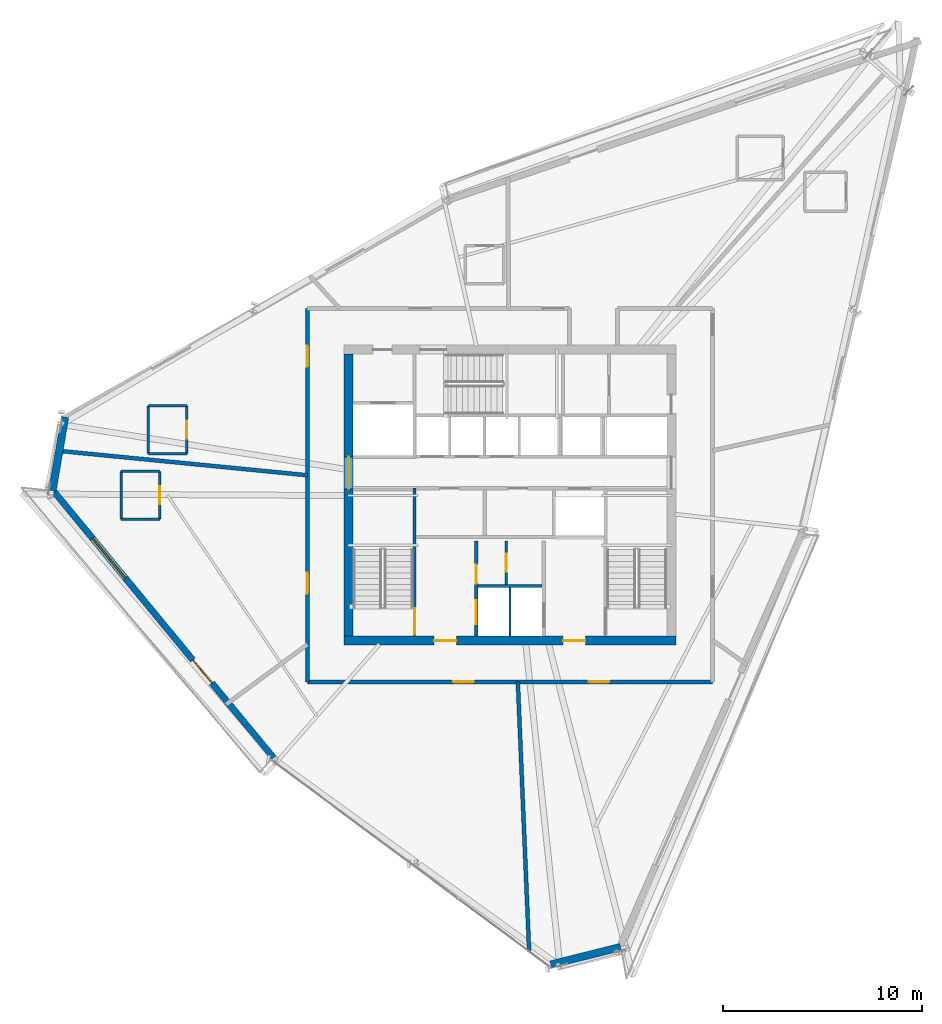
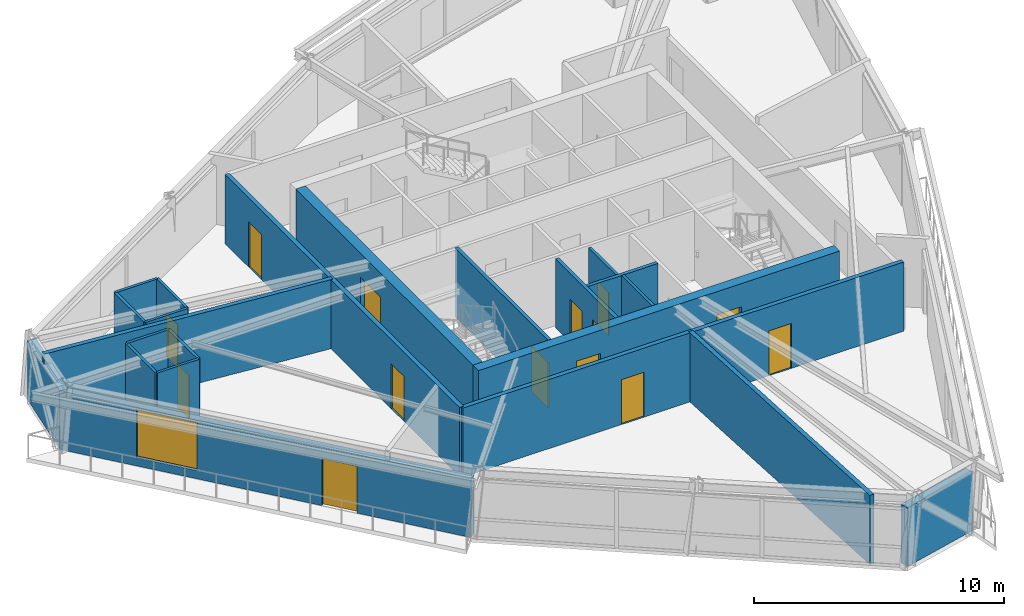
# One storey, part 8 of 14: 22 walls, 14 doors, 1 window, 15 openings.
"""IFC4 building model written with IfcOpenShell, lengths in metres."""

from ifc_helpers import new_model, si_unit, direction, frame, frame_2d, origin, place, context, subcontext, project, spatial, rectangle, extrude, source, transform, mapped, material, layer, layer_set, type_object, type_shapes, element, fill, save


model = new_model("IFC4")

# Units and contexts
model_context = context("Model", 3, precision=1e-05, world=origin(), true_north=direction((0.0, 1.0)))
body_context = subcontext(model_context, "Body", "Model", "MODEL_VIEW")
ifc_project = project(units=[si_unit("LENGTHUNIT", "METRE"), si_unit("AREAUNIT", "SQUARE_METRE"), si_unit("VOLUMEUNIT", "CUBIC_METRE"), si_unit("PLANEANGLEUNIT", "RADIAN"), si_unit("MASSUNIT", "GRAM", prefix="KILO")], contexts=[model_context])

# Site, building, storey
site_placement = place(None, origin())
site = spatial("IfcSite", under=ifc_project, at=site_placement, CompositionType="ELEMENT")
building_placement = place(site_placement, origin())
building = spatial("IfcBuilding", under=site, at=building_placement, Name="Olszyna Solenne Hotel", CompositionType="ELEMENT")
storey_placement = place(building_placement, frame((0.0, 0.0, 230.89990234375)))
storey = spatial("IfcBuildingStorey", under=building, at=storey_placement, Name="L61", CompositionType="ELEMENT", Elevation=230.89990234375)

# Wall, openings, doors
ifc_material_1 = material(Name="Concrete C50/60", Category="concrete")
ifc_layer_1 = layer(ifc_material_1, 0.449951171875, Name="Concrete C50/60")
ifc_layer_set_1 = layer_set([ifc_layer_1], Name="Concrete C50/60")
wall_type_1 = type_object("IfcWallType", Name="WL-CR450", PredefinedType="SHEAR", material=ifc_layer_set_1)
wall_1_placement = place(storey_placement, frame((46.35009765625, 19.27490234375, 0.0), z_axis=(0.0, 0.0, 1.0), x_axis=(-1.0, 0.0, 0.0)))
wall_1 = element("IfcWall", 1, at=wall_1_placement, inside=storey, type_object=wall_type_1, Name="Core shear wall WL-CR450 CRW-L61-S", PredefinedType="SHEAR", context=body_context, shape_type="SweptSolid", body=[
    extrude(rectangle(XDim=16.7001953125, YDim=0.449951171875, at=frame_2d((8.35009765625, 0.0))), origin(), (0.0, 0.0, 1.0), 3.380126953125),
])
opening_1_placement = place(wall_1_placement, frame((4.550048828125, 0.0, 0.0)))
opening_1 = element("IfcOpeningElement", 2, at=opening_1_placement, cuts=wall_1, Name="Opening FL-L61-1", PredefinedType="OPENING", context=body_context, shape_type="SweptSolid", body=[
    extrude(rectangle(XDim=1.1201171875, YDim=2.25, at=frame_2d((0.56005859375, 1.125))), frame((0.0, 0.23486328125, 0.0), z_axis=(0.0, -1.0, 0.0), x_axis=(1.0, 0.0, 0.0)), (0.0, 0.0, 1.0), 0.469970703125),
])
opening_2_placement = place(wall_1_placement, frame((11.050048828125, 0.0, 0.0)))
opening_2 = element("IfcOpeningElement", 3, at=opening_2_placement, cuts=wall_1, Name="Opening FL-L61-2", PredefinedType="OPENING", context=body_context, shape_type="SweptSolid", body=[
    extrude(rectangle(XDim=1.1201171875, YDim=2.25, at=frame_2d((0.56005859375, 1.125))), frame((0.0, 0.23486328125, 0.0), z_axis=(0.0, -1.0, 0.0), x_axis=(1.0, 0.0, 0.0)), (0.0, 0.0, 1.0), 0.469970703125),
])
ifc_material_2 = material(Name="Steel S355J2", Category="steel")
door_type_1 = type_object("IfcDoorType", Name="DR-FL1", OperationType="NOTDEFINED", PredefinedType="DOOR", material=ifc_material_2)
shared_shape_1 = source(origin(), body_context, "Body", "SweptSolid", [
    extrude(rectangle(XDim=1.1201171875, YDim=2.25, at=frame_2d((0.56005859375, 1.125))), frame((0.0, 0.02490234375, 0.0), z_axis=(0.0, -1.0, 0.0), x_axis=(1.0, 0.0, 0.0)), (0.0, 0.0, 1.0), 0.050048828125),
])
type_shapes(door_type_1, [shared_shape_1])
door_1_placement = place(opening_1_placement, origin())
door_1 = element("IfcDoor", 4, at=door_1_placement, inside=storey, type_object=door_type_1, Name="Firefighting lift lobby smoke door FL-L61-1", OperationType="SINGLE_SWING_LEFT", OverallHeight=2.25, OverallWidth=1.1201171875, PredefinedType="DOOR", context=body_context, shape_type="MappedRepresentation", body=[
    mapped(shared_shape_1, transform((0.0, 0.0, 0.0), x_axis=(1.0, 0.0, 0.0), y_axis=(0.0, 1.0, 0.0), z_axis=(0.0, 0.0, 1.0), scale=1.0)),
])
fill(opening_1, door_1)
door_2_placement = place(opening_2_placement, origin())
door_2 = element("IfcDoor", 5, at=door_2_placement, inside=storey, type_object=door_type_1, Name="Firefighting lift lobby smoke door FL-L61-2", OperationType="SINGLE_SWING_RIGHT", OverallHeight=2.25, OverallWidth=1.1201171875, PredefinedType="DOOR", context=body_context, shape_type="MappedRepresentation", body=[
    mapped(shared_shape_1, transform((0.0, 0.0, 0.0), x_axis=(1.0, 0.0, 0.0), y_axis=(0.0, 1.0, 0.0), z_axis=(0.0, 0.0, 1.0), scale=1.0)),
])
fill(opening_2, door_2)

# Wall, opening, door
wall_2_placement = place(storey_placement, frame((29.875, 19.5, 0.0), z_axis=(0.0, 0.0, 1.0), x_axis=(0.0, 1.0, 0.0)))
wall_2 = element("IfcWall", 6, at=wall_2_placement, inside=storey, type_object=wall_type_1, Name="Core shear wall WL-CR450 CRW-L61-W", PredefinedType="SHEAR", context=body_context, shape_type="SweptSolid", body=[
    extrude(rectangle(XDim=14.199951171875, YDim=0.449951171875, at=frame_2d((7.10009765625, 0.0))), origin(), (0.0, 0.0, 1.0), 3.380126953125),
])
opening_3_placement = place(wall_2_placement, frame((7.419921875, 0.0, 0.0)))
opening_3 = element("IfcOpeningElement", 7, at=opening_3_placement, cuts=wall_2, Name="Opening LHD-L61-W", PredefinedType="OPENING", context=body_context, shape_type="SweptSolid", body=[
    extrude(rectangle(XDim=1.60009765625, YDim=2.199951171875, at=frame_2d((0.800048828125, 1.10009765625))), frame((0.0, 0.23486328125, 0.0), z_axis=(0.0, -1.0, 0.0), x_axis=(1.0, 0.0, 0.0)), (0.0, 0.0, 1.0), 0.469970703125),
])
ifc_material_3 = material(Name="Timber hardwood", Category="wood")
door_type_2 = type_object("IfcDoorType", Name="DR-CR1", OperationType="DOUBLE_DOOR_SINGLE_SWING", PredefinedType="DOOR", material=ifc_material_3)
shared_shape_2 = source(origin(), body_context, "Body", "SweptSolid", [
    extrude(rectangle(XDim=1.60009765625, YDim=2.199951171875, at=frame_2d((0.800048828125, 1.10009765625))), frame((0.0, 0.02490234375, 0.0), z_axis=(0.0, -1.0, 0.0), x_axis=(1.0, 0.0, 0.0)), (0.0, 0.0, 1.0), 0.050048828125),
])
type_shapes(door_type_2, [shared_shape_2])
door_3_placement = place(opening_3_placement, origin())
door_3 = element("IfcDoor", 8, at=door_3_placement, inside=storey, type_object=door_type_2, Name="Passenger lift lobby West fire door LHD-L61-W", OperationType="DOUBLE_DOOR_SINGLE_SWING", OverallHeight=2.199951171875, OverallWidth=1.60009765625, PredefinedType="DOOR", context=body_context, shape_type="MappedRepresentation", body=[
    mapped(shared_shape_2, transform((0.0, 0.0, 0.0), x_axis=(1.0, 0.0, 0.0), y_axis=(0.0, 1.0, 0.0), z_axis=(0.0, 0.0, 1.0), scale=1.0)),
])
fill(opening_3, door_3)

# Wall, openings, door, window
ifc_material_4 = material(Name="Precast concrete C45/55", Category="concrete")
ifc_layer_2 = layer(ifc_material_4, 0.320068359375, Name="Precast concrete C45/55")
ifc_layer_set_2 = layer_set([ifc_layer_2], Name="Precast concrete C45/55")
wall_type_2 = type_object("IfcWallType", Name="WL-EX320", PredefinedType="SOLIDWALL", material=ifc_layer_set_2)
wall_3_placement = place(storey_placement, frame((26.093017578125, 13.37646484375, 0.0), z_axis=(0.0, 0.0, 1.0), x_axis=(-0.636168686104, 0.771550000208, 0.0)))
wall_3 = element("IfcWall", 9, at=wall_3_placement, inside=storey, type_object=wall_type_2, Name="Exterior terracotta-precast frame wall WL-EX320 EW-L61-04", PredefinedType="SOLIDWALL", context=body_context, shape_type="SweptSolid", body=[
    extrude(rectangle(XDim=17.595458984375, YDim=0.320068359375, at=frame_2d((8.7978515625, 0.0))), origin(), (0.0, 0.0, 1.0), 2.8720703125),
])
opening_4_placement = place(wall_3_placement, frame((4.8798828125, 0.0, 0.0)))
opening_4 = element("IfcOpeningElement", 10, at=opening_4_placement, cuts=wall_3, Name="Opening LDG-L61-2", PredefinedType="OPENING", context=body_context, shape_type="SweptSolid", body=[
    extrude(rectangle(XDim=1.5, YDim=2.300048828125, at=frame_2d((0.75, 1.14990234375))), frame((0.0, 0.169921875, 0.0), z_axis=(0.0, -1.0, 0.0), x_axis=(1.0, 0.0, 0.0)), (0.0, 0.0, 1.0), 0.340087890625),
])
opening_5_placement = place(wall_3_placement, frame((11.720947265625, 0.0, 0.402099609375)))
opening_5 = element("IfcOpeningElement", 11, at=opening_5_placement, cuts=wall_3, Name="Opening WN-L61-396", PredefinedType="OPENING", context=body_context, shape_type="SweptSolid", body=[
    extrude(rectangle(XDim=2.60009765625, YDim=2.35009765625, at=frame_2d((1.300048828125, 1.175048828125))), frame((0.0, 0.169921875, 0.0), z_axis=(0.0, -1.0, 0.0), x_axis=(1.0, 0.0, 0.0)), (0.0, 0.0, 1.0), 0.340087890625),
])
ifc_material_5 = material(Name="Anodised bronze aluminium", Category="aluminium")
door_type_3 = type_object("IfcDoorType", Name="DR-LG2", OperationType="DOUBLE_DOOR_SINGLE_SWING", PredefinedType="DOOR", material=ifc_material_5)
shared_shape_3 = source(origin(), body_context, "Body", "SweptSolid", [
    extrude(rectangle(XDim=1.5, YDim=2.300048828125, at=frame_2d((0.75, 1.14990234375))), frame((0.0, 0.02490234375, 0.0), z_axis=(0.0, -1.0, 0.0), x_axis=(1.0, 0.0, 0.0)), (0.0, 0.0, 1.0), 0.050048828125),
])
type_shapes(door_type_3, [shared_shape_3])
door_4_placement = place(opening_4_placement, origin())
door_4 = element("IfcDoor", 12, at=door_4_placement, inside=storey, type_object=door_type_3, Name="Exterior loggia balcony door DR-LG2 LDG-L61-2", OperationType="DOUBLE_DOOR_SINGLE_SWING", OverallHeight=2.300048828125, OverallWidth=1.5, PredefinedType="DOOR", context=body_context, shape_type="MappedRepresentation", body=[
    mapped(shared_shape_3, transform((0.0, 0.0, 0.0), x_axis=(1.0, 0.0, 0.0), y_axis=(0.0, 1.0, 0.0), z_axis=(0.0, 0.0, 1.0), scale=1.0)),
])
fill(opening_4, door_4)
ifc_material_6 = material(Name="Low-E triple glazing", Category="glass")
window_type = type_object("IfcWindowType", Name="WN-ST1", PartitioningType="SINGLE_PANEL", PredefinedType="WINDOW", material=ifc_material_6)
shared_shape_4 = source(origin(), body_context, "Body", "SweptSolid", [
    extrude(rectangle(XDim=2.60009765625, YDim=2.35009765625, at=frame_2d((1.300048828125, 1.175048828125))), frame((0.0, 0.030029296875, 0.0), z_axis=(0.0, -1.0, 0.0), x_axis=(1.0, 0.0, 0.0)), (0.0, 0.0, 1.0), 0.06005859375),
])
type_shapes(window_type, [shared_shape_4])
window_placement = place(opening_5_placement, origin())
window = element("IfcWindow", 13, at=window_placement, inside=storey, type_object=window_type, Name="Loggia room window WN-ST1 WN-L61-396", OverallHeight=2.35009765625, OverallWidth=2.60009765625, PartitioningType="SINGLE_PANEL", PredefinedType="WINDOW", context=body_context, shape_type="MappedRepresentation", body=[
    mapped(shared_shape_4, transform((0.0, 0.0, 0.0), x_axis=(1.0, 0.0, 0.0), y_axis=(0.0, 1.0, 0.0), z_axis=(0.0, 0.0, 1.0), scale=1.0)),
])
fill(opening_5, window)

# Walls
ifc_material_7 = material(Name="Terracotta cladding on precast concrete C45/55", Category="masonry")
ifc_layer_3 = layer(ifc_material_7, 0.3798828125, Name="Terracotta cladding on precast concrete C45/55")
ifc_layer_set_3 = layer_set([ifc_layer_3], Name="Terracotta cladding on precast concrete C45/55")
wall_type_3 = type_object("IfcWallType", Name="WL-EX380", PredefinedType="SOLIDWALL", material=ifc_layer_set_3)
wall_4_placement = place(storey_placement, frame((43.567138671875, 3.8447265625, 0.0), z_axis=(0.0, 0.0, 1.0), x_axis=(-0.970284902679, -0.241965302541, 0.0)))
element("IfcWall", 14, at=wall_4_placement, inside=storey, type_object=wall_type_3, Name="Exterior terracotta-precast frame wall WL-EX380 EW-L61-02", PredefinedType="SOLIDWALL", context=body_context, shape_type="SweptSolid", body=[
    extrude(rectangle(XDim=3.626220703125, YDim=0.3798828125, at=frame_2d((1.81298828125, 0.0))), origin(), (0.0, 0.0, 1.0), 2.8720703125),
])
wall_5_placement = place(storey_placement, frame((14.96337890625, 26.818359375, 0.0), z_axis=(0.0, 0.0, 1.0), x_axis=(0.168425569437, 0.985714374228, 0.0)))
element("IfcWall", 15, at=wall_5_placement, inside=storey, type_object=wall_type_3, Name="Exterior terracotta-precast frame wall WL-EX380 EW-L61-05", PredefinedType="SOLIDWALL", context=body_context, shape_type="SweptSolid", body=[
    extrude(rectangle(XDim=3.764404296875, YDim=0.3798828125, at=frame_2d((1.88232421875, 0.0))), origin(), (0.0, 0.0, 1.0), 2.8720703125),
])
ifc_material_8 = material(Name="Acoustic gypsum partition", Category="gypsum")
ifc_layer_4 = layer(ifc_material_8, 0.125, Name="Acoustic gypsum partition")
ifc_layer_set_4 = layer_set([ifc_layer_4], Name="Acoustic gypsum partition")
wall_type_4 = type_object("IfcWallType", Name="WL-PT125", PredefinedType="PARTITIONING", material=ifc_layer_set_4)
wall_6_placement = place(storey_placement, frame((38.0, 19.5, 0.0), z_axis=(0.0, 0.0, 1.0), x_axis=(0.0, 1.0, 0.0)))
element("IfcWall", 16, at=wall_6_placement, inside=storey, type_object=wall_type_4, Name="Core shaft compartment wall CW-L61-FFM", PredefinedType="PARTITIONING", context=body_context, shape_type="SweptSolid", body=[
    extrude(rectangle(XDim=2.4599609375, YDim=0.125, at=frame_2d((1.22998046875, 0.0))), origin(), (0.0, 0.0, 1.0), 3.380126953125),
])

# Wall, opening, door
wall_7_placement = place(storey_placement, frame((37.820068359375, 22.10009765625, 0.0), z_axis=(0.0, 0.0, 1.0), x_axis=(0.0, 1.0, 0.0)))
wall_7 = element("IfcWall", 17, at=wall_7_placement, inside=storey, type_object=wall_type_4, Name="Core shaft compartment wall CW-L61-SC1", PredefinedType="PARTITIONING", context=body_context, shape_type="SweptSolid", body=[
    extrude(rectangle(XDim=2.179931640625, YDim=0.125, at=frame_2d((1.08984375, 0.0))), origin(), (0.0, 0.0, 1.0), 3.380126953125),
])
opening_6_placement = place(wall_7_placement, frame((0.64990234375, 0.0, 0.0)))
opening_6 = element("IfcOpeningElement", 18, at=opening_6_placement, cuts=wall_7, Name="Opening SVD-L61-SC1", PredefinedType="OPENING", context=body_context, shape_type="SweptSolid", body=[
    extrude(rectangle(XDim=0.89990234375, YDim=2.10009765625, at=frame_2d((0.449951171875, 1.050048828125))), frame((0.0, 0.072509765625, 0.0), z_axis=(0.0, -1.0, 0.0), x_axis=(1.0, 0.0, 0.0)), (0.0, 0.0, 1.0), 0.14501953125),
])
door_type_4 = type_object("IfcDoorType", Name="DR-WC1", OperationType="NOTDEFINED", PredefinedType="DOOR", material=ifc_material_3)
shared_shape_5 = source(origin(), body_context, "Body", "SweptSolid", [
    extrude(rectangle(XDim=0.89990234375, YDim=2.10009765625, at=frame_2d((0.449951171875, 1.050048828125))), frame((0.0, 0.02490234375, 0.0), z_axis=(0.0, -1.0, 0.0), x_axis=(1.0, 0.0, 0.0)), (0.0, 0.0, 1.0), 0.050048828125),
])
type_shapes(door_type_4, [shared_shape_5])
door_5_placement = place(opening_6_placement, origin())
door_5 = element("IfcDoor", 19, at=door_5_placement, inside=storey, type_object=door_type_4, Name="Pantry locker door SVD-L61-SC1", OperationType="SINGLE_SWING_LEFT", OverallHeight=2.10009765625, OverallWidth=0.89990234375, PredefinedType="DOOR", context=body_context, shape_type="MappedRepresentation", body=[
    mapped(shared_shape_5, transform((0.0, 0.0, 0.0), x_axis=(1.0, 0.0, 0.0), y_axis=(0.0, 1.0, 0.0), z_axis=(0.0, 0.0, 1.0), scale=1.0)),
])
fill(opening_6, door_5)

wall_8_placement = place(storey_placement, frame((21.738037109375, 28.68994140625, 0.0), z_axis=(0.0, 0.0, 1.0), x_axis=(0.0, 1.0, 0.0)))
wall_8 = element("IfcWall", 20, at=wall_8_placement, inside=storey, type_object=wall_type_4, Name="Interior acoustic partition WL-PT125 PW-L61-3381", PredefinedType="PARTITIONING", context=body_context, shape_type="SweptSolid", body=[
    extrude(rectangle(XDim=2.400146484375, YDim=0.125, at=frame_2d((1.2001953125, 0.0))), origin(), (0.0, 0.0, 1.0), 3.380126953125),
])
opening_7_placement = place(wall_8_placement, frame((0.75, 0.0, 0.0)))
opening_7 = element("IfcOpeningElement", 21, at=opening_7_placement, cuts=wall_8, Name="Opening DR-L61-0823", PredefinedType="OPENING", context=body_context, shape_type="SweptSolid", body=[
    extrude(rectangle(XDim=0.89990234375, YDim=2.10009765625, at=frame_2d((0.449951171875, 1.050048828125))), frame((0.0, 0.072509765625, 0.0), z_axis=(0.0, -1.0, 0.0), x_axis=(1.0, 0.0, 0.0)), (0.0, 0.0, 1.0), 0.14501953125),
])
door_6_placement = place(opening_7_placement, origin())
door_6 = element("IfcDoor", 22, at=door_6_placement, inside=storey, type_object=door_type_4, Name="En-Suite Bathroom Door DR-L61-0823", OperationType="SINGLE_SWING_RIGHT", OverallHeight=2.10009765625, OverallWidth=0.89990234375, PredefinedType="DOOR", context=body_context, shape_type="MappedRepresentation", body=[
    mapped(shared_shape_5, transform((0.0, 0.0, 0.0), x_axis=(1.0, 0.0, 0.0), y_axis=(0.0, 1.0, 0.0), z_axis=(0.0, 0.0, 1.0), scale=1.0)),
])
fill(opening_7, door_6)

# Walls
wall_9_placement = place(storey_placement, frame((21.738037109375, 31.090087890625, 0.0), z_axis=(0.0, 0.0, 1.0), x_axis=(-1.0, 0.0, 0.0)))
element("IfcWall", 23, at=wall_9_placement, inside=storey, type_object=wall_type_4, Name="Interior acoustic partition WL-PT125 PW-L61-3382", PredefinedType="PARTITIONING", context=body_context, shape_type="SweptSolid", body=[
    extrude(rectangle(XDim=1.949951171875, YDim=0.125, at=frame_2d((0.97509765625, 0.0))), origin(), (0.0, 0.0, 1.0), 3.380126953125),
])
wall_10_placement = place(storey_placement, frame((19.7880859375, 31.090087890625, 0.0), z_axis=(0.0, 0.0, 1.0), x_axis=(0.0, -1.0, 0.0)))
element("IfcWall", 24, at=wall_10_placement, inside=storey, type_object=wall_type_4, Name="Interior acoustic partition WL-PT125 PW-L61-3383", PredefinedType="PARTITIONING", context=body_context, shape_type="SweptSolid", body=[
    extrude(rectangle(XDim=2.400146484375, YDim=0.125, at=frame_2d((1.2001953125, 0.0))), origin(), (0.0, 0.0, 1.0), 3.380126953125),
])
wall_11_placement = place(storey_placement, frame((19.7880859375, 28.68994140625, 0.0), z_axis=(0.0, 0.0, 1.0), x_axis=(1.0, 0.0, 0.0)))
element("IfcWall", 25, at=wall_11_placement, inside=storey, type_object=wall_type_4, Name="Interior acoustic partition WL-PT125 PW-L61-3384", PredefinedType="PARTITIONING", context=body_context, shape_type="SweptSolid", body=[
    extrude(rectangle(XDim=1.949951171875, YDim=0.125, at=frame_2d((0.97509765625, 0.0))), origin(), (0.0, 0.0, 1.0), 3.380126953125),
])

# Wall, opening, door
wall_12_placement = place(storey_placement, frame((20.366943359375, 25.39501953125, 0.0), z_axis=(0.0, 0.0, 1.0), x_axis=(0.0, 1.0, 0.0)))
wall_12 = element("IfcWall", 26, at=wall_12_placement, inside=storey, type_object=wall_type_4, Name="Interior acoustic partition WL-PT125 PW-L61-3385", PredefinedType="PARTITIONING", context=body_context, shape_type="SweptSolid", body=[
    extrude(rectangle(XDim=2.39990234375, YDim=0.125, at=frame_2d((1.199951171875, 0.0))), origin(), (0.0, 0.0, 1.0), 3.380126953125),
])
opening_8_placement = place(wall_12_placement, frame((0.75, 0.0, 0.0)))
opening_8 = element("IfcOpeningElement", 27, at=opening_8_placement, cuts=wall_12, Name="Opening DR-L61-0824", PredefinedType="OPENING", context=body_context, shape_type="SweptSolid", body=[
    extrude(rectangle(XDim=0.89990234375, YDim=2.10009765625, at=frame_2d((0.449951171875, 1.050048828125))), frame((0.0, 0.072509765625, 0.0), z_axis=(0.0, -1.0, 0.0), x_axis=(1.0, 0.0, 0.0)), (0.0, 0.0, 1.0), 0.14501953125),
])
door_7_placement = place(opening_8_placement, origin())
door_7 = element("IfcDoor", 28, at=door_7_placement, inside=storey, type_object=door_type_4, Name="En-Suite Bathroom Door DR-L61-0824", OperationType="SINGLE_SWING_RIGHT", OverallHeight=2.10009765625, OverallWidth=0.89990234375, PredefinedType="DOOR", context=body_context, shape_type="MappedRepresentation", body=[
    mapped(shared_shape_5, transform((0.0, 0.0, 0.0), x_axis=(1.0, 0.0, 0.0), y_axis=(0.0, 1.0, 0.0), z_axis=(0.0, 0.0, 1.0), scale=1.0)),
])
fill(opening_8, door_7)

# Walls
wall_13_placement = place(storey_placement, frame((20.366943359375, 27.794921875, 0.0), z_axis=(0.0, 0.0, 1.0), x_axis=(-1.0, 0.0, 0.0)))
element("IfcWall", 29, at=wall_13_placement, inside=storey, type_object=wall_type_4, Name="Interior acoustic partition WL-PT125 PW-L61-3386", PredefinedType="PARTITIONING", context=body_context, shape_type="SweptSolid", body=[
    extrude(rectangle(XDim=1.949951171875, YDim=0.125, at=frame_2d((0.97509765625, 0.0))), origin(), (0.0, 0.0, 1.0), 3.380126953125),
])
wall_14_placement = place(storey_placement, frame((18.4169921875, 27.794921875, 0.0), z_axis=(0.0, 0.0, 1.0), x_axis=(0.0, -1.0, 0.0)))
element("IfcWall", 30, at=wall_14_placement, inside=storey, type_object=wall_type_4, Name="Interior acoustic partition WL-PT125 PW-L61-3387", PredefinedType="PARTITIONING", context=body_context, shape_type="SweptSolid", body=[
    extrude(rectangle(XDim=2.39990234375, YDim=0.125, at=frame_2d((1.199951171875, 0.0))), origin(), (0.0, 0.0, 1.0), 3.380126953125),
])
wall_15_placement = place(storey_placement, frame((18.4169921875, 25.39501953125, 0.0), z_axis=(0.0, 0.0, 1.0), x_axis=(1.0, 0.0, 0.0)))
element("IfcWall", 31, at=wall_15_placement, inside=storey, type_object=wall_type_4, Name="Interior acoustic partition WL-PT125 PW-L61-3388", PredefinedType="PARTITIONING", context=body_context, shape_type="SweptSolid", body=[
    extrude(rectangle(XDim=1.949951171875, YDim=0.125, at=frame_2d((0.97509765625, 0.0))), origin(), (0.0, 0.0, 1.0), 3.380126953125),
])

# Wall, opening, door
ifc_layer_5 = layer(ifc_material_8, 0.159912109375, Name="Acoustic gypsum partition")
ifc_layer_set_5 = layer_set([ifc_layer_5], Name="Acoustic gypsum partition")
wall_type_5 = type_object("IfcWallType", Name="WL-PT160", PredefinedType="PARTITIONING", material=ifc_layer_set_5)
wall_16_placement = place(storey_placement, frame((33.199951171875, 19.5, 0.0), z_axis=(0.0, 0.0, 1.0), x_axis=(0.0, 1.0, 0.0)))
wall_16 = element("IfcWall", 32, at=wall_16_placement, inside=storey, type_object=wall_type_5, Name="Core shaft compartment wall CW-L61-ST1E", PredefinedType="PARTITIONING", context=body_context, shape_type="SweptSolid", body=[
    extrude(rectangle(XDim=7.4599609375, YDim=0.159912109375, at=frame_2d((3.72998046875, 0.0))), origin(), (0.0, 0.0, 1.0), 3.380126953125),
])
opening_9_placement = place(wall_16_placement, frame((0.080078125, 0.0, 0.0)))
opening_9 = element("IfcOpeningElement", 33, at=opening_9_placement, cuts=wall_16, Name="Opening STD-L61-01", PredefinedType="OPENING", context=body_context, shape_type="SweptSolid", body=[
    extrude(rectangle(XDim=1.320068359375, YDim=2.199951171875, at=frame_2d((0.66015625, 1.10009765625))), frame((0.0, 0.08984375, 0.0), z_axis=(0.0, -1.0, 0.0), x_axis=(1.0, 0.0, 0.0)), (0.0, 0.0, 1.0), 0.179931640625),
])
door_type_5 = type_object("IfcDoorType", Name="DR-ST1", OperationType="NOTDEFINED", PredefinedType="DOOR", material=ifc_material_2)
shared_shape_6 = source(origin(), body_context, "Body", "SweptSolid", [
    extrude(rectangle(XDim=1.320068359375, YDim=2.199951171875, at=frame_2d((0.66015625, 1.10009765625))), frame((0.0, 0.02490234375, 0.0), z_axis=(0.0, -1.0, 0.0), x_axis=(1.0, 0.0, 0.0)), (0.0, 0.0, 1.0), 0.050048828125),
])
type_shapes(door_type_5, [shared_shape_6])
door_8_placement = place(opening_9_placement, origin())
door_8 = element("IfcDoor", 34, at=door_8_placement, inside=storey, type_object=door_type_5, Name="Pressurised exit stair ST1 fire door STD-L61-01", OperationType="SINGLE_SWING_LEFT", OverallHeight=2.199951171875, OverallWidth=1.320068359375, PredefinedType="DOOR", context=body_context, shape_type="MappedRepresentation", body=[
    mapped(shared_shape_6, transform((0.0, 0.0, 0.0), x_axis=(1.0, 0.0, 0.0), y_axis=(0.0, 1.0, 0.0), z_axis=(0.0, 0.0, 1.0), scale=1.0)),
])
fill(opening_9, door_8)

# Wall, openings, doors
wall_17_placement = place(storey_placement, frame((36.300048828125, 19.5, 0.0), z_axis=(0.0, 0.0, 1.0), x_axis=(0.0, 1.0, 0.0)))
wall_17 = element("IfcWall", 35, at=wall_17_placement, inside=storey, type_object=wall_type_5, Name="Core shaft compartment wall CW-L61-FF1W", PredefinedType="PARTITIONING", context=body_context, shape_type="SweptSolid", body=[
    extrude(rectangle(XDim=4.780029296875, YDim=0.159912109375, at=frame_2d((2.39013671875, 0.0))), origin(), (0.0, 0.0, 1.0), 3.380126953125),
])
opening_10_placement = place(wall_17_placement, frame((0.60009765625, 0.0, 0.0)))
opening_10 = element("IfcOpeningElement", 36, at=opening_10_placement, cuts=wall_17, Name="Opening LD-L61-FF1", PredefinedType="OPENING", context=body_context, shape_type="SweptSolid", body=[
    extrude(rectangle(XDim=1.199951171875, YDim=2.199951171875, at=frame_2d((0.60009765625, 1.10009765625))), frame((0.0, 0.08984375, 0.0), z_axis=(0.0, -1.0, 0.0), x_axis=(1.0, 0.0, 0.0)), (0.0, 0.0, 1.0), 0.179931640625),
])
opening_11_placement = place(wall_17_placement, frame((2.64990234375, 0.0, 0.0)))
opening_11 = element("IfcOpeningElement", 37, at=opening_11_placement, cuts=wall_17, Name="Opening SVD-L61-SMK", PredefinedType="OPENING", context=body_context, shape_type="SweptSolid", body=[
    extrude(rectangle(XDim=0.949951171875, YDim=2.10009765625, at=frame_2d((0.47509765625, 1.050048828125))), frame((0.0, 0.08984375, 0.0), z_axis=(0.0, -1.0, 0.0), x_axis=(1.0, 0.0, 0.0)), (0.0, 0.0, 1.0), 0.179931640625),
])
door_type_6 = type_object("IfcDoorType", Name="DR-SV1", OperationType="NOTDEFINED", PredefinedType="DOOR", material=ifc_material_2)
shared_shape_7 = source(origin(), body_context, "Body", "SweptSolid", [
    extrude(rectangle(XDim=0.949951171875, YDim=2.10009765625, at=frame_2d((0.47509765625, 1.050048828125))), frame((0.0, 0.02490234375, 0.0), z_axis=(0.0, -1.0, 0.0), x_axis=(1.0, 0.0, 0.0)), (0.0, 0.0, 1.0), 0.050048828125),
])
type_shapes(door_type_6, [shared_shape_7])
door_9_placement = place(opening_11_placement, origin())
door_9 = element("IfcDoor", 38, at=door_9_placement, inside=storey, type_object=door_type_6, Name="Valet and core service room door SVD-L61-SMK", OperationType="SINGLE_SWING_LEFT", OverallHeight=2.10009765625, OverallWidth=0.949951171875, PredefinedType="DOOR", context=body_context, shape_type="MappedRepresentation", body=[
    mapped(shared_shape_7, transform((0.0, 0.0, 0.0), x_axis=(1.0, 0.0, 0.0), y_axis=(0.0, 1.0, 0.0), z_axis=(0.0, 0.0, 1.0), scale=1.0)),
])
fill(opening_11, door_9)
door_type_7 = type_object("IfcDoorType", Name="LD-FF1", OperationType="DOUBLE_DOOR_SLIDING", PredefinedType="DOOR", material=ifc_material_2)
shared_shape_8 = source(origin(), body_context, "Body", "SweptSolid", [
    extrude(rectangle(XDim=1.199951171875, YDim=2.199951171875, at=frame_2d((0.60009765625, 1.10009765625))), frame((0.0, 0.02490234375, 0.0), z_axis=(0.0, -1.0, 0.0), x_axis=(1.0, 0.0, 0.0)), (0.0, 0.0, 1.0), 0.050048828125),
])
type_shapes(door_type_7, [shared_shape_8])
door_10_placement = place(opening_10_placement, origin())
door_10 = element("IfcDoor", 39, at=door_10_placement, inside=storey, type_object=door_type_7, Name="Firefighters lift FF1 sliding landing door LD-L61-FF1", OperationType="DOUBLE_DOOR_SLIDING", OverallHeight=2.199951171875, OverallWidth=1.199951171875, PredefinedType="DOOR", context=body_context, shape_type="MappedRepresentation", body=[
    mapped(shared_shape_8, transform((0.0, 0.0, 0.0), x_axis=(1.0, 0.0, 0.0), y_axis=(0.0, 1.0, 0.0), z_axis=(0.0, 0.0, 1.0), scale=1.0)),
])
fill(opening_10, door_10)

# Walls
wall_18_placement = place(storey_placement, frame((36.3798828125, 22.02001953125, 0.0), z_axis=(0.0, 0.0, 1.0), x_axis=(1.0, 0.0, 0.0)))
element("IfcWall", 40, at=wall_18_placement, inside=storey, type_object=wall_type_5, Name="Core shaft compartment wall CW-L61-FFN", PredefinedType="PARTITIONING", context=body_context, shape_type="SweptSolid", body=[
    extrude(rectangle(XDim=3.240234375, YDim=0.159912109375, at=frame_2d((1.6201171875, 0.0))), origin(), (0.0, 0.0, 1.0), 3.380126953125),
])
ifc_layer_6 = layer(ifc_material_8, 0.199951171875, Name="Acoustic gypsum partition")
ifc_layer_set_6 = layer_set([ifc_layer_6], Name="Acoustic gypsum partition")
wall_type_6 = type_object("IfcWallType", Name="WL-PT200", PredefinedType="PARTITIONING", material=ifc_layer_set_6)
wall_19_placement = place(storey_placement, frame((27.800048828125, 27.60009765625, 0.0), z_axis=(0.0, 0.0, 1.0), x_axis=(-0.995227172247, 0.097585222353, 0.0)))
element("IfcWall", 41, at=wall_19_placement, inside=storey, type_object=wall_type_6, Name="Interior acoustic partition WL-PT200 PW-L61-3368", PredefinedType="PARTITIONING", context=body_context, shape_type="SweptSolid", body=[
    extrude(rectangle(XDim=12.71435546875, YDim=0.199951171875, at=frame_2d((6.357177734375, 0.0))), origin(), (0.0, 0.0, 1.0), 3.380126953125),
])
wall_20_placement = place(storey_placement, frame((38.39404296875, 17.199951171875, 0.0), z_axis=(0.0, 0.0, 1.0), x_axis=(0.041874116011, -0.999122894547, 0.0)))
element("IfcWall", 42, at=wall_20_placement, inside=storey, type_object=wall_type_6, Name="Interior acoustic partition WL-PT200 PW-L61-3370", PredefinedType="PARTITIONING", context=body_context, shape_type="SweptSolid", body=[
    extrude(rectangle(XDim=13.5498046875, YDim=0.199951171875, at=frame_2d((6.77490234375, 0.0))), origin(), (0.0, 0.0, 1.0), 3.380126953125),
])

# Wall, openings, doors
wall_21_placement = place(storey_placement, frame((27.800048828125, 17.199951171875, 0.0), z_axis=(0.0, 0.0, 1.0), x_axis=(1.0, 0.0, 0.0)))
wall_21 = element("IfcWall", 43, at=wall_21_placement, inside=storey, type_object=wall_type_6, Name="Interior acoustic partition WL-PT200 PW-L61-3393", PredefinedType="PARTITIONING", context=body_context, shape_type="SweptSolid", body=[
    extrude(rectangle(XDim=20.39990234375, YDim=0.199951171875, at=frame_2d((10.199951171875, 0.0))), origin(), (0.0, 0.0, 1.0), 3.380126953125),
])
opening_12_placement = place(wall_21_placement, frame((7.3359375, 0.0, 0.0)))
opening_12 = element("IfcOpeningElement", 44, at=opening_12_placement, cuts=wall_21, Name="Opening DR-L61-0826", PredefinedType="OPENING", context=body_context, shape_type="SweptSolid", body=[
    extrude(rectangle(XDim=1.050048828125, YDim=2.199951171875, at=frame_2d((0.52490234375, 1.10009765625))), frame((0.0, 0.10986328125, 0.0), z_axis=(0.0, -1.0, 0.0), x_axis=(1.0, 0.0, 0.0)), (0.0, 0.0, 1.0), 0.219970703125),
])
opening_13_placement = place(wall_21_placement, frame((14.156005859375, 0.0, 0.0)))
opening_13 = element("IfcOpeningElement", 45, at=opening_13_placement, cuts=wall_21, Name="Opening DR-L61-0827", PredefinedType="OPENING", context=body_context, shape_type="SweptSolid", body=[
    extrude(rectangle(XDim=1.050048828125, YDim=2.199951171875, at=frame_2d((0.52490234375, 1.10009765625))), frame((0.0, 0.10986328125, 0.0), z_axis=(0.0, -1.0, 0.0), x_axis=(1.0, 0.0, 0.0)), (0.0, 0.0, 1.0), 0.219970703125),
])
door_type_8 = type_object("IfcDoorType", Name="DR-RM2", OperationType="NOTDEFINED", PredefinedType="DOOR", material=ifc_material_3)
shared_shape_9 = source(origin(), body_context, "Body", "SweptSolid", [
    extrude(rectangle(XDim=1.050048828125, YDim=2.199951171875, at=frame_2d((0.52490234375, 1.10009765625))), frame((0.0, 0.02490234375, 0.0), z_axis=(0.0, -1.0, 0.0), x_axis=(1.0, 0.0, 0.0)), (0.0, 0.0, 1.0), 0.050048828125),
])
type_shapes(door_type_8, [shared_shape_9])
door_11_placement = place(opening_12_placement, origin())
door_11 = element("IfcDoor", 46, at=door_11_placement, inside=storey, type_object=door_type_8, Name="Breakfast Tasting Salon Entrance Door DR-L61-0826", OperationType="SINGLE_SWING_RIGHT", OverallHeight=2.199951171875, OverallWidth=1.050048828125, PredefinedType="DOOR", context=body_context, shape_type="MappedRepresentation", body=[
    mapped(shared_shape_9, transform((0.0, 0.0, 0.0), x_axis=(1.0, 0.0, 0.0), y_axis=(0.0, 1.0, 0.0), z_axis=(0.0, 0.0, 1.0), scale=1.0)),
])
fill(opening_12, door_11)
door_12_placement = place(opening_13_placement, origin())
door_12 = element("IfcDoor", 47, at=door_12_placement, inside=storey, type_object=door_type_8, Name="Boutique Art Gallery Entrance Door DR-L61-0827", OperationType="SINGLE_SWING_LEFT", OverallHeight=2.199951171875, OverallWidth=1.050048828125, PredefinedType="DOOR", context=body_context, shape_type="MappedRepresentation", body=[
    mapped(shared_shape_9, transform((0.0, 0.0, 0.0), x_axis=(1.0, 0.0, 0.0), y_axis=(0.0, 1.0, 0.0), z_axis=(0.0, 0.0, 1.0), scale=1.0)),
])
fill(opening_13, door_12)

wall_22_placement = place(storey_placement, frame((27.800048828125, 17.199951171875, 0.0), z_axis=(0.0, 0.0, 1.0), x_axis=(0.0, 1.0, 0.0)))
wall_22 = element("IfcWall", 48, at=wall_22_placement, inside=storey, type_object=wall_type_6, Name="Interior acoustic partition WL-PT200 PW-L61-3394", PredefinedType="PARTITIONING", context=body_context, shape_type="SweptSolid", body=[
    extrude(rectangle(XDim=18.800048828125, YDim=0.199951171875, at=frame_2d((9.39990234375, 0.0))), origin(), (0.0, 0.0, 1.0), 3.380126953125),
])
opening_14_placement = place(wall_22_placement, frame((15.860107421875, 0.0, 0.0)))
opening_14 = element("IfcOpeningElement", 49, at=opening_14_placement, cuts=wall_22, Name="Opening DR-L61-0828", PredefinedType="OPENING", context=body_context, shape_type="SweptSolid", body=[
    extrude(rectangle(XDim=1.050048828125, YDim=2.199951171875, at=frame_2d((0.52490234375, 1.10009765625))), frame((0.0, 0.10986328125, 0.0), z_axis=(0.0, -1.0, 0.0), x_axis=(1.0, 0.0, 0.0)), (0.0, 0.0, 1.0), 0.219970703125),
])
opening_15_placement = place(wall_22_placement, frame((4.43603515625, 0.0, 0.0)))
opening_15 = element("IfcOpeningElement", 50, at=opening_15_placement, cuts=wall_22, Name="Opening DR-L61-0829", PredefinedType="OPENING", context=body_context, shape_type="SweptSolid", body=[
    extrude(rectangle(XDim=1.050048828125, YDim=2.199951171875, at=frame_2d((0.52490234375, 1.10009765625))), frame((0.0, 0.10986328125, 0.0), z_axis=(0.0, -1.0, 0.0), x_axis=(1.0, 0.0, 0.0)), (0.0, 0.0, 1.0), 0.219970703125),
])
door_13_placement = place(opening_14_placement, origin())
door_13 = element("IfcDoor", 51, at=door_13_placement, inside=storey, type_object=door_type_8, Name="Deluxe Hotel Guestroom Entrance Door DR-L61-0828", OperationType="SINGLE_SWING_RIGHT", OverallHeight=2.199951171875, OverallWidth=1.050048828125, PredefinedType="DOOR", context=body_context, shape_type="MappedRepresentation", body=[
    mapped(shared_shape_9, transform((0.0, 0.0, 0.0), x_axis=(1.0, 0.0, 0.0), y_axis=(0.0, 1.0, 0.0), z_axis=(0.0, 0.0, 1.0), scale=1.0)),
])
fill(opening_14, door_13)
door_14_placement = place(opening_15_placement, origin())
door_14 = element("IfcDoor", 52, at=door_14_placement, inside=storey, type_object=door_type_8, Name="Deluxe Hotel Guestroom Entrance Door DR-L61-0829", OperationType="SINGLE_SWING_LEFT", OverallHeight=2.199951171875, OverallWidth=1.050048828125, PredefinedType="DOOR", context=body_context, shape_type="MappedRepresentation", body=[
    mapped(shared_shape_9, transform((0.0, 0.0, 0.0), x_axis=(1.0, 0.0, 0.0), y_axis=(0.0, 1.0, 0.0), z_axis=(0.0, 0.0, 1.0), scale=1.0)),
])
fill(opening_15, door_14)

save(model, "model.ifc")
